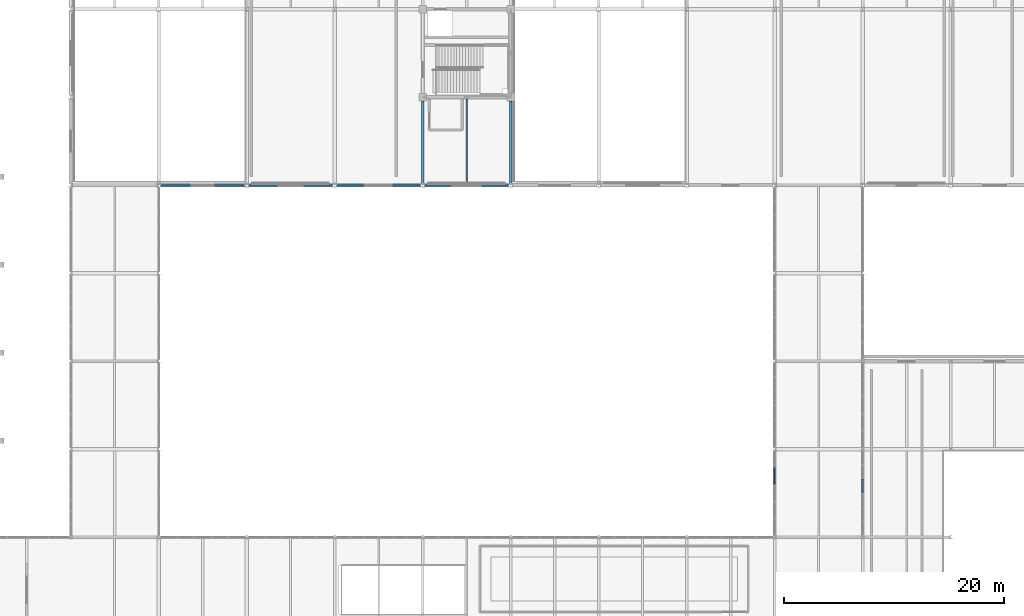
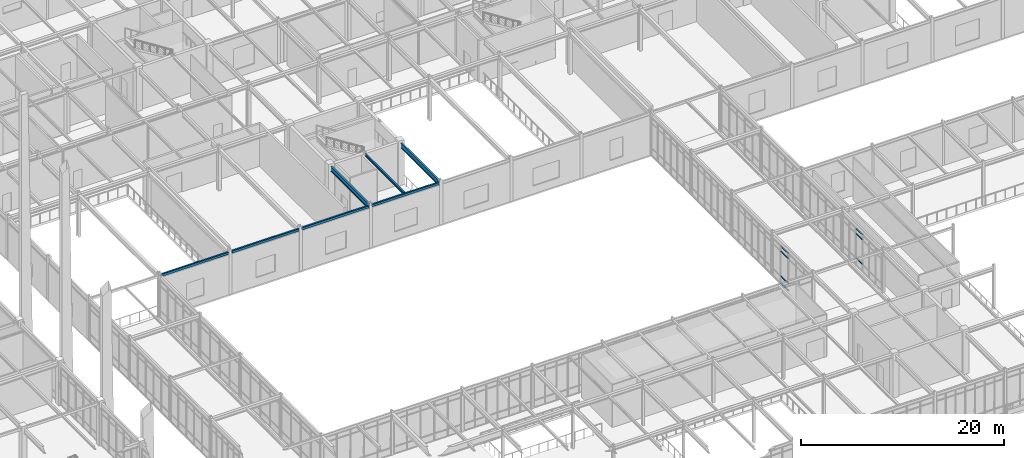
# One storey, part 56 of 184: 7 beams, 7 members, 2 elements without a shape of their own.
"""IFC4 building model written with IfcOpenShell, lengths in metres."""

from ifc_helpers import new_model, si_unit, direction, frame, origin, origin_2d, place, context, subcontext, project, spatial, rectangle, hollow_rectangle, i_section, extrude, material, material_profile, profile_set, type_object, element, aggregate, save


model = new_model("IFC4")

# Units and contexts
model_context = context("Model", 3, precision=1e-05, world=origin(), true_north=direction((0.0, 1.0)))
body_context = subcontext(model_context, "Body", "Model", "MODEL_VIEW")
ifc_project = project(units=[si_unit("LENGTHUNIT", "METRE"), si_unit("AREAUNIT", "SQUARE_METRE"), si_unit("VOLUMEUNIT", "CUBIC_METRE"), si_unit("PLANEANGLEUNIT", "RADIAN"), si_unit("MASSUNIT", "GRAM", prefix="KILO")], contexts=[model_context])

# Site, building, storey
site_placement = place(None, origin())
site = spatial("IfcSite", under=ifc_project, at=site_placement, CompositionType="ELEMENT")
building_placement = place(site_placement, origin())
building = spatial("IfcBuilding", under=site, at=building_placement, Name="Zhaolan Boulevard Law Courts", CompositionType="ELEMENT")
storey_placement = place(building_placement, frame((0.0, 0.0, 5.39990234375)))
storey = spatial("IfcBuildingStorey", under=building, at=storey_placement, Name="L01", CompositionType="ELEMENT", Elevation=5.39990234375)

# Curtain wall, members
ifc_material_1 = material(Name="Thermally broken aluminium and low-E glazing", Category="aluminium")
curtain_wall_type_1 = type_object("IfcCurtainWallType", Name="CURTAIN WALL M2", PredefinedType="USERDEFINED", material=ifc_material_1)
curtain_wall_1_placement = place(storey_placement, origin())
curtain_wall_1 = element("IfcCurtainWall", 1, at=curtain_wall_1_placement, inside=storey, type_object=curtain_wall_type_1, Name="Curtain Wall CW-L01-074", ObjectType="CURTAIN WALL", PredefinedType="USERDEFINED")
ifc_material_2 = material(Name="Fluorocarbon-coated aluminium 6063-T6", Category="aluminium")
ifc_material_profile_1 = material_profile(ifc_material_2, rectangle(XDim=0.139892578125, YDim=0.06494140625, at=origin_2d()), Name="AL65x140")
ifc_profile_set_1 = profile_set([ifc_material_profile_1], Name="Fluorocarbon-coated aluminium 6063-T6")
member_type = type_object("IfcMemberType", Name="CWTRANSOM 65X140", PredefinedType="USERDEFINED", material=ifc_profile_set_1)
member_1_placement = place(storey_placement, frame((116.0, 36.291259765625, 0.03271484375), z_axis=(0.0, -1.0, 0.0), x_axis=(1.0, 0.0, 0.0)))
member_1 = element("IfcMember", 2, at=member_1_placement, type_object=member_type, Name="CW-L01-074 transom 2.1", ObjectType="TRANSOM", PredefinedType="USERDEFINED", context=body_context, shape_type="SweptSolid", body=[
    extrude(rectangle(XDim=0.139892578125, YDim=0.06494140625, at=origin_2d()), origin(), (0.0, 0.0, 1.0), 1.484130859375),
])
member_2_placement = place(storey_placement, frame((116.0, 36.291259765625, 0.900146484375), z_axis=(0.0, -1.0, 0.0), x_axis=(1.0, 0.0, 0.0)))
member_2 = element("IfcMember", 3, at=member_2_placement, type_object=member_type, Name="CW-L01-074 transom 2.2", ObjectType="TRANSOM", PredefinedType="USERDEFINED", context=body_context, shape_type="SweptSolid", body=[
    extrude(rectangle(XDim=0.139892578125, YDim=0.06494140625, at=origin_2d()), origin(), (0.0, 0.0, 1.0), 1.484130859375),
])
member_3_placement = place(storey_placement, frame((116.0, 36.291259765625, 3.903076171875), z_axis=(0.0, -1.0, 0.0), x_axis=(1.0, 0.0, 0.0)))
member_3 = element("IfcMember", 4, at=member_3_placement, type_object=member_type, Name="CW-L01-074 transom 2.3", ObjectType="TRANSOM", PredefinedType="USERDEFINED", context=body_context, shape_type="SweptSolid", body=[
    extrude(rectangle(XDim=0.139892578125, YDim=0.06494140625, at=origin_2d()), origin(), (0.0, 0.0, 1.0), 1.484130859375),
])
member_4_placement = place(storey_placement, frame((116.0, 36.291259765625, 4.5205078125), z_axis=(0.0, -1.0, 0.0), x_axis=(1.0, 0.0, 0.0)))
member_4 = element("IfcMember", 5, at=member_4_placement, type_object=member_type, Name="CW-L01-074 transom 2.4", ObjectType="TRANSOM", PredefinedType="USERDEFINED", context=body_context, shape_type="SweptSolid", body=[
    extrude(rectangle(XDim=0.139892578125, YDim=0.06494140625, at=origin_2d()), origin(), (0.0, 0.0, 1.0), 1.484130859375),
])
aggregate(curtain_wall_1, [member_1, member_2, member_3, member_4])

ifc_material_3 = material(Name="Thermally broken aluminium and low-E glazing", Category="aluminium")
curtain_wall_type_2 = type_object("IfcCurtainWallType", Name="CURTAIN WALL M6", PredefinedType="USERDEFINED", material=ifc_material_3)
curtain_wall_2_placement = place(storey_placement, origin())
curtain_wall_2 = element("IfcCurtainWall", 6, at=curtain_wall_2_placement, inside=storey, type_object=curtain_wall_type_2, Name="Curtain Wall CW-L01-078", ObjectType="CURTAIN WALL", PredefinedType="USERDEFINED")
member_5_placement = place(storey_placement, frame((124.0, 34.032470703125, 0.900146484375), z_axis=(0.0, 1.0, 0.0), x_axis=(-1.0, 0.0, 0.0)))
member_5 = element("IfcMember", 7, at=member_5_placement, type_object=member_type, Name="CW-L01-078 transom 4.2", ObjectType="TRANSOM", PredefinedType="USERDEFINED", context=body_context, shape_type="SweptSolid", body=[
    extrude(rectangle(XDim=0.139892578125, YDim=0.06494140625, at=origin_2d()), origin(), (0.0, 0.0, 1.0), 1.22607421875),
])
member_6_placement = place(storey_placement, frame((124.0, 34.032470703125, 3.85302734375), z_axis=(0.0, 1.0, 0.0), x_axis=(-1.0, 0.0, 0.0)))
member_6 = element("IfcMember", 8, at=member_6_placement, type_object=member_type, Name="CW-L01-078 transom 4.3", ObjectType="TRANSOM", PredefinedType="USERDEFINED", context=body_context, shape_type="SweptSolid", body=[
    extrude(rectangle(XDim=0.139892578125, YDim=0.06494140625, at=origin_2d()), origin(), (0.0, 0.0, 1.0), 1.22607421875),
])
member_7_placement = place(storey_placement, frame((124.0, 34.032470703125, 4.470703125), z_axis=(0.0, 1.0, 0.0), x_axis=(-1.0, 0.0, 0.0)))
member_7 = element("IfcMember", 9, at=member_7_placement, type_object=member_type, Name="CW-L01-078 transom 4.4", ObjectType="TRANSOM", PredefinedType="USERDEFINED", context=body_context, shape_type="SweptSolid", body=[
    extrude(rectangle(XDim=0.139892578125, YDim=0.06494140625, at=origin_2d()), origin(), (0.0, 0.0, 1.0), 1.22607421875),
])
aggregate(curtain_wall_2, [member_5, member_6, member_7])

# Beams
ifc_material_4 = material(Name="Structural steel Q355B", Category="steel")
ifc_material_profile_2 = material_profile(ifc_material_4, i_section(OverallWidth=0.199951171875, OverallDepth=0.60009765625, WebThickness=0.010986328125, FlangeThickness=0.01708984375, FilletRadius=0.02001953125, at=origin_2d()), Name="HN600x200")
ifc_profile_set_2 = profile_set([ifc_material_profile_2], Name="Structural steel Q355B")
beam_type_1 = type_object("IfcBeamType", Name="GIRDER HN600", PredefinedType="BEAM", material=ifc_profile_set_2)
for number, where, z_axis, x_axis, name in (
    (10, (84.0, 62.1708984375, 4.818115234375), (0.0, 1.0, 0.0), (-1.0, 0.0, 0.0), "Beam BY-L02-11-J-K"),
    (11, (92.0, 62.1708984375, 4.818115234375), (0.0, 1.0, 0.0), (-1.0, 0.0, 0.0), "Beam BY-L02-12-J-K"),
):
    element("IfcBeam", number, at=place(storey_placement, frame(where, z_axis=z_axis, x_axis=x_axis)), inside=storey, type_object=beam_type_1, Name=name, PredefinedType="BEAM", context=body_context, shape_type="SweptSolid", body=[
        extrude(i_section(OverallWidth=0.199951171875, OverallDepth=0.60009765625, WebThickness=0.010986328125, FlangeThickness=0.01708984375, FilletRadius=0.02001953125, at=origin_2d()), origin(), (0.0, 0.0, 1.0), 7.483154296875),
    ])
ifc_material_5 = material(Name="Structural steel Q355B", Category="steel")
ifc_material_profile_3 = material_profile(ifc_material_5, i_section(OverallWidth=0.14990234375, OverallDepth=0.300048828125, WebThickness=0.006591796875, FlangeThickness=0.009033203125, FilletRadius=0.010986328125, at=origin_2d()), Name="HN300x150")
ifc_profile_set_3 = profile_set([ifc_material_profile_3], Name="Structural steel Q355B")
beam_type_2 = type_object("IfcBeamType", Name="JOIST HN300", PredefinedType="JOIST", material=ifc_profile_set_3)
beam_placement = place(storey_placement, frame((88.0, 62.095947265625, 4.968017578125), z_axis=(0.0, 1.0, 0.0), x_axis=(-1.0, 0.0, 0.0)))
element("IfcBeam", 12, at=beam_placement, inside=storey, type_object=beam_type_2, Name="Composite Joist J-L02-11J", PredefinedType="JOIST", context=body_context, shape_type="SweptSolid", body=[
    extrude(i_section(OverallWidth=0.14990234375, OverallDepth=0.300048828125, WebThickness=0.006591796875, FlangeThickness=0.009033203125, FilletRadius=0.010986328125, at=origin_2d()), origin(), (0.0, 0.0, 1.0), 7.758056640625),
])
ifc_material_6 = material(Name="Structural steel Q355B", Category="steel")
ifc_material_profile_4 = material_profile(ifc_material_6, hollow_rectangle(XDim=0.199951171875, YDim=0.300048828125, WallThickness=0.011962890625, InnerFilletRadius=0.011962890625, OuterFilletRadius=0.02392578125, at=origin_2d()), Name="HSS300x200x12")
ifc_profile_set_4 = profile_set([ifc_material_profile_4], Name="Structural steel Q355B")
beam_type_3 = type_object("IfcBeamType", Name="SPANDREL HSS300", PredefinedType="SPANDREL", material=ifc_profile_set_4)
for number, where, z_axis, x_axis, name in (
    (13, (60.1708984375, 62.0, 4.968017578125), (1.0, 0.0, 0.0), (0.0, 1.0, 0.0), "Beam BX-L02-8-9-J"),
    (14, (68.1708984375, 62.0, 4.968017578125), (1.0, 0.0, 0.0), (0.0, 1.0, 0.0), "Beam BX-L02-9-10-J"),
    (15, (76.1708984375, 62.0, 4.968017578125), (1.0, 0.0, 0.0), (0.0, 1.0, 0.0), "Beam BX-L02-10-11-J"),
    (16, (84.1708984375, 62.0, 4.968017578125), (1.0, 0.0, 0.0), (0.0, 1.0, 0.0), "Beam BX-L02-11-12-J"),
):
    element("IfcBeam", number, at=place(storey_placement, frame(where, z_axis=z_axis, x_axis=x_axis)), inside=storey, type_object=beam_type_3, Name=name, PredefinedType="SPANDREL", context=body_context, shape_type="SweptSolid", body=[
        extrude(hollow_rectangle(XDim=0.199951171875, YDim=0.300048828125, WallThickness=0.011962890625, InnerFilletRadius=0.011962890625, OuterFilletRadius=0.02392578125, at=origin_2d()), origin(), (0.0, 0.0, 1.0), 7.658203125),
    ])

save(model, "model.ifc")
